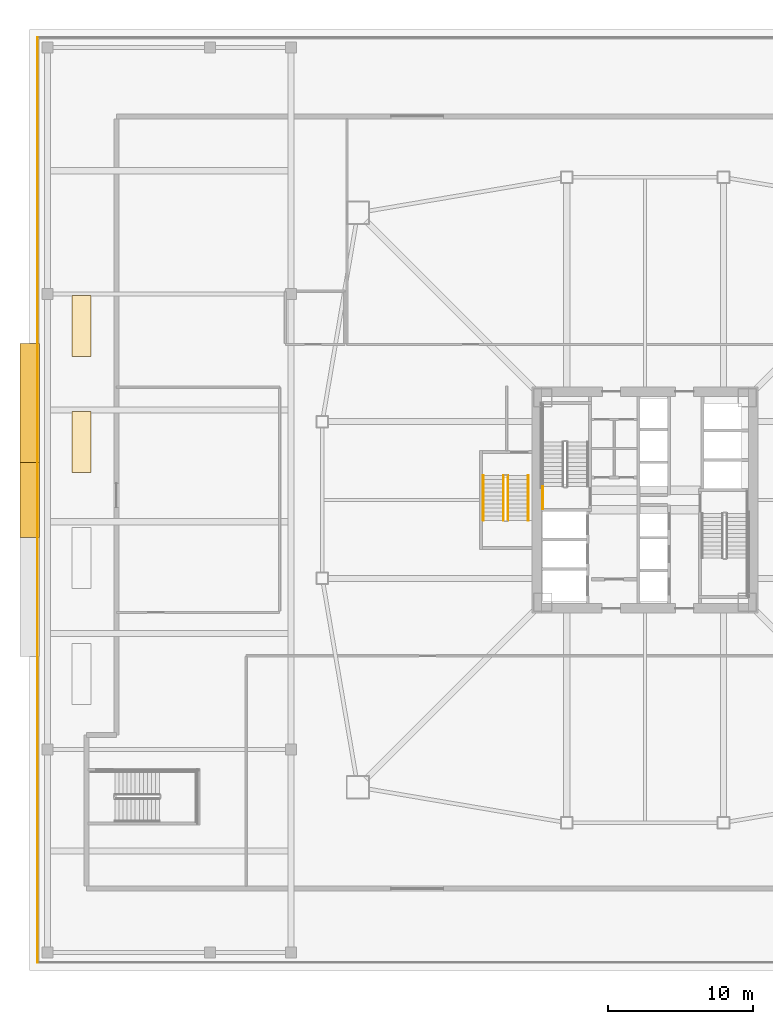
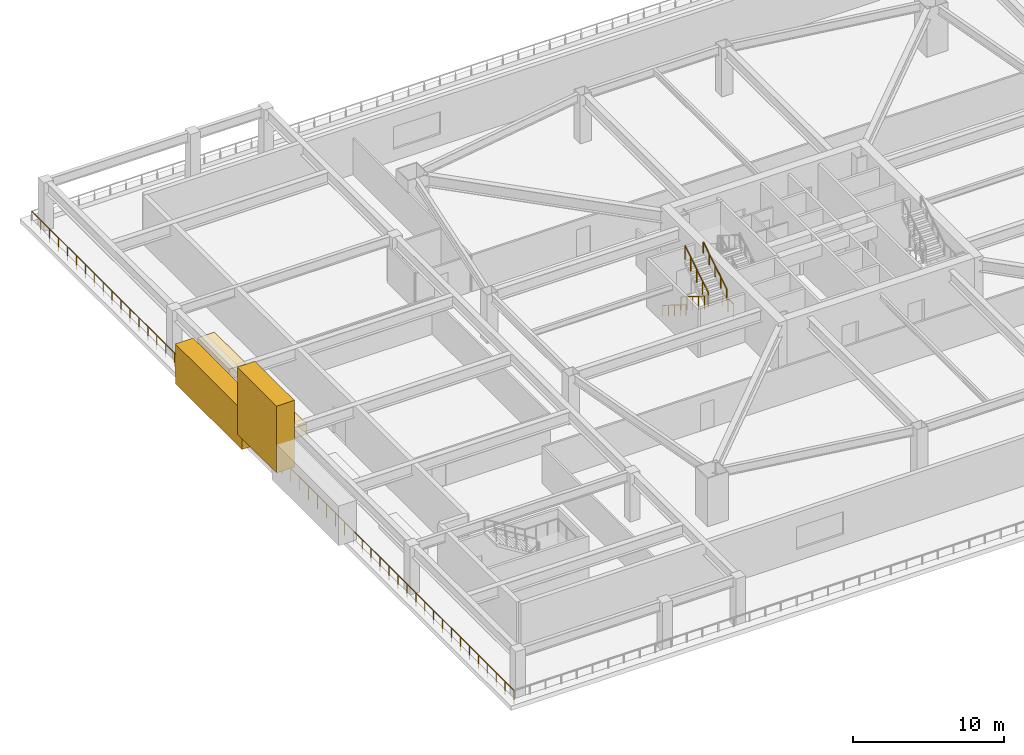
# One storey, part 14 of 20: 6 railings, 4 coverings.
"""IFC4 building model written with IfcOpenShell, lengths in metres."""

import ifcopenshell
import ifcopenshell.guid

model = None  # the IFC model being written
_history = None  # IfcOwnerHistory: only IFC2X3 demands one
_inside = {}  # id of a spatial element -> (the spatial element, [elements in it])
_under = {}  # id of a project, library or spatial element -> (it, [spatial elements below it])
_declared = {}  # id of a project -> (the project, [libraries it declares])
_typed = {}  # id of a type object -> (the type object, [elements of that type])
_made_of = {}  # id of a material, layer set ... -> (it, [elements and type objects made of it])


def new_model(schema):
    """Start an empty IFC model of exactly this schema.

    Asked for "IFC4X3", IfcOpenShell would pick the latest addendum, in which some entities
    have other attributes; the version numbers below select the first issue.
    IFC2X3 requires an IfcOwnerHistory on every rooted entity: one is made here for all.
    """
    global model, _history
    if schema == "IFC4X3":
        model = ifcopenshell.file(schema_version=(4, 3, 0, 0))
    else:
        model = ifcopenshell.file(schema=schema)
    _inside.clear()
    _under.clear()
    _declared.clear()
    _typed.clear()
    _made_of.clear()
    _history = None
    if model.schema == "IFC2X3":
        org = make("IfcOrganization", Name="unknown")
        user = make(
            "IfcPersonAndOrganization",
            ThePerson=make("IfcPerson", FamilyName="unknown"),
            TheOrganization=org,
        )
        app = make(
            "IfcApplication",
            ApplicationDeveloper=org,
            Version="unknown",
            ApplicationFullName="unknown",
            ApplicationIdentifier="unknown",
        )
        _history = make(
            "IfcOwnerHistory",
            OwningUser=user,
            OwningApplication=app,
            ChangeAction="ADDED",
            CreationDate=0,
        )
    return model


def make(cls, **values):
    """One entity of the class cls with the attributes given. An attribute that is None is left unset."""
    return model.create_entity(
        cls, **{name: value for name, value in values.items() if value is not None}
    )


def rooted(cls, **values):
    """An entity with a GlobalId (a new one), such as an element, a storey or a relation."""
    return make(cls, GlobalId=ifcopenshell.guid.new(), OwnerHistory=_history, **values)


def si_unit(unit_type, name, prefix=None):
    """IfcSIUnit, for example si_unit("LENGTHUNIT", "METRE", prefix="MILLI")."""
    return make("IfcSIUnit", UnitType=unit_type, Prefix=prefix, Name=name)


def assignment(units):
    """IfcUnitAssignment: the units of a project."""
    return None if units is None else make("IfcUnitAssignment", Units=units)


def point(xyz):
    """IfcCartesianPoint."""
    return None if xyz is None else make("IfcCartesianPoint", Coordinates=xyz)


def direction(xyz):
    """IfcDirection."""
    return None if xyz is None else make("IfcDirection", DirectionRatios=xyz)


def frame(location, z_axis=None, x_axis=None):
    """IfcAxis2Placement3D, a coordinate frame: its origin and axes. An axis left out is left unset."""
    return make(
        "IfcAxis2Placement3D",
        Location=point(location),
        Axis=direction(z_axis),
        RefDirection=direction(x_axis),
    )


def frame_2d(location, x_axis=None):
    """IfcAxis2Placement2D, a coordinate frame in the plane: its origin and x axis."""
    return make(
        "IfcAxis2Placement2D", Location=point(location), RefDirection=direction(x_axis)
    )


def origin():
    """The frame at (0, 0, 0) with its axes left unset."""
    return frame((0.0, 0.0, 0.0))


def origin_2d():
    """The frame at (0, 0) in the plane with its x axis left unset."""
    return frame_2d((0.0, 0.0))


def place(relative_to, where):
    """IfcLocalPlacement: puts the frame where relative to a parent placement (None: the world)."""
    return make(
        "IfcLocalPlacement", PlacementRelTo=relative_to, RelativePlacement=where
    )


def context(
    kind, dimensions, precision=None, world=None, true_north=None, identifier=None
):
    """IfcGeometricRepresentationContext, for example the 3D "Model" context."""
    return make(
        "IfcGeometricRepresentationContext",
        ContextIdentifier=identifier,
        ContextType=kind,
        CoordinateSpaceDimension=dimensions,
        Precision=precision,
        WorldCoordinateSystem=world,
        TrueNorth=true_north,
    )


def subcontext(parent, identifier, kind, view, scale=None):
    """IfcGeometricRepresentationSubContext, for example "Body" below "Model"."""
    return make(
        "IfcGeometricRepresentationSubContext",
        ContextIdentifier=identifier,
        ContextType=kind,
        ParentContext=parent,
        TargetScale=scale,
        TargetView=view,
    )


def project(units=None, contexts=None):
    """IfcProject with its units and contexts."""
    return rooted(
        "IfcProject",
        Name="project",
        RepresentationContexts=contexts,
        UnitsInContext=assignment(units),
    )


def spatial(cls, under=None, at=None, **own):
    """A site, building, storey or space (cls), placed at a placement, below another one or the project."""
    s = rooted(cls, ObjectPlacement=at, **own)
    if under is not None:
        _under.setdefault(under.id(), (under, []))[1].append(s)
    return s


def profile(cls, at=None, kind="AREA", **sizes):
    """A parametric profile (cls). Its sizes go by their IFC names, for example OverallWidth=200.0."""
    return make(cls, ProfileType=kind, Position=at, **sizes)


def rectangle(**sizes):
    """IfcRectangleProfileDef."""
    return profile("IfcRectangleProfileDef", **sizes)


def extrude(swept, where, along, depth):
    """IfcExtrudedAreaSolid: the profile swept, set in the frame where, extruded along a direction by depth."""
    return make(
        "IfcExtrudedAreaSolid",
        SweptArea=swept,
        Position=where,
        ExtrudedDirection=direction(along),
        Depth=depth,
    )


def shape(context_of_items, identifier, shape_type, items):
    """IfcShapeRepresentation: the items that make up one representation, for example the "Body"."""
    return make(
        "IfcShapeRepresentation",
        ContextOfItems=context_of_items,
        RepresentationIdentifier=identifier,
        RepresentationType=shape_type,
        Items=items,
    )


def material(Name=None, Category=None):
    """IfcMaterial."""
    return make("IfcMaterial", Name=Name, Category=Category)


def layer(
    of_material, thickness, ventilated=None, Name=None, Category=None, Priority=None
):
    """IfcMaterialLayer: one layer of a wall or slab, of a material (None: an air gap)."""
    return make(
        "IfcMaterialLayer",
        Material=of_material,
        LayerThickness=thickness,
        IsVentilated=ventilated,
        Name=Name,
        Category=Category,
        Priority=Priority,
    )


def layer_set(layers, Name=None):
    """IfcMaterialLayerSet."""
    return make("IfcMaterialLayerSet", MaterialLayers=layers, LayerSetName=Name)


def made_of(thing, what):
    """Note that an element or type object is made of a material, layer set ...; save() writes the relation."""
    if what is not None:
        _made_of.setdefault(what.id(), (what, []))[1].append(thing)
    return thing


def type_object(cls, material=None, **own):
    """A type object (cls), such as IfcWallType, which elements share."""
    return made_of(rooted(cls, **own), material)


def element(
    cls,
    number,
    at=None,
    inside=None,
    cuts=None,
    type_object=None,
    material=None,
    context=None,
    identifier="Body",
    shape_type=None,
    held_by="IfcProductDefinitionShape",
    body=None,
    shapes=None,
    **own,
):
    """One element of the class cls, such as IfcWall. Its Tag is "e" and its number.

    at: its placement. inside: the storey or other place that contains it. cuts: it is an
    opening in that element (IfcRelVoidsElement). A single representation is given by context,
    identifier, shape_type and body (its items); several are given by shapes. held_by: the class
    of the entity that holds the representations. save() writes the other relations.
    """
    e = rooted(cls, Tag="e%d" % number, ObjectPlacement=at, **own)
    if body is not None:
        shapes = [shape(context, identifier, shape_type, body)]
    if shapes is not None:
        e.Representation = make(held_by, Representations=shapes)
    if inside is not None:
        _inside.setdefault(inside.id(), (inside, []))[1].append(e)
    if cuts is not None:
        rooted(
            "IfcRelVoidsElement", RelatingBuildingElement=cuts, RelatedOpeningElement=e
        )
    if type_object is not None:
        _typed.setdefault(type_object.id(), (type_object, []))[1].append(e)
    return made_of(e, material)


def aggregate(whole, parts):
    """IfcRelAggregates: a whole, such as a stair, and the parts it consists of."""
    return rooted("IfcRelAggregates", RelatingObject=whole, RelatedObjects=parts)


def save(model, path):
    """Write the relations noted so far, then the file.

    IfcRelAggregates (storeys below a building ...), IfcRelContainedInSpatialStructure (elements
    in a storey), IfcRelDefinesByType, IfcRelAssociatesMaterial and IfcRelDeclares: one each for
    every whole, place, type object, material and project.
    """
    for whole, parts in _under.values():
        aggregate(whole, parts)
    for where, things in _inside.values():
        rooted(
            "IfcRelContainedInSpatialStructure",
            RelatedElements=things,
            RelatingStructure=where,
        )
    for kind, things in _typed.values():
        rooted("IfcRelDefinesByType", RelatedObjects=things, RelatingType=kind)
    for what, things in _made_of.values():
        rooted("IfcRelAssociatesMaterial", RelatedObjects=things, RelatingMaterial=what)
    for by, libraries in _declared.values():
        rooted("IfcRelDeclares", RelatingContext=by, RelatedDefinitions=libraries)
    model.write(path)


model = new_model("IFC4")

# Units and contexts
model_context = context("Model", 3, precision=1e-05, world=origin(), true_north=direction((0.0, 1.0)))
body_context = subcontext(model_context, "Body", "Model", "MODEL_VIEW")
ifc_project = project(units=[si_unit("LENGTHUNIT", "METRE"), si_unit("AREAUNIT", "SQUARE_METRE"), si_unit("VOLUMEUNIT", "CUBIC_METRE"), si_unit("PLANEANGLEUNIT", "RADIAN"), si_unit("MASSUNIT", "GRAM", prefix="KILO")], contexts=[model_context])

# Site, building, storey
site_placement = place(None, origin())
site = spatial("IfcSite", under=ifc_project, at=site_placement, CompositionType="ELEMENT")
building_placement = place(site_placement, origin())
building = spatial("IfcBuilding", under=site, at=building_placement, Name="Tashvorn Skyway Center", CompositionType="ELEMENT")
storey_placement = place(building_placement, frame((0.0, 0.0, 15.60009765625)))
storey = spatial("IfcBuildingStorey", under=building, at=storey_placement, Name="L03", CompositionType="ELEMENT", Elevation=15.60009765625)

# Coverings
ifc_material_1 = material(Name="Precast concrete C40/50", Category="concrete")
ifc_layer = layer(ifc_material_1, 0.35009765625)
ifc_layer_set = layer_set([ifc_layer], Name="Precast concrete C40/50")
covering_type = type_object("IfcCoveringType", Name="COV-STONE-TRIM", PredefinedType="CLADDING", material=ifc_layer_set)
for number, where, z_axis, x_axis, name in (
    (1, (3.14990234375, 36.0, 0.0), (0.0, 0.0, 1.0), (1.0, 0.0, 0.0), "L03 Colonnade Terrace Stone Planter 3"),
    (2, (3.14990234375, 44.0, 0.0), (0.0, 0.0, 1.0), (1.0, 0.0, 0.0), "L03 Colonnade Terrace Stone Planter 4"),
):
    element("IfcCovering", number, at=place(storey_placement, frame(where, z_axis=z_axis, x_axis=x_axis)), inside=storey, type_object=covering_type, Name=name, PredefinedType="CLADDING", context=body_context, shape_type="SweptSolid", body=[
        extrude(rectangle(XDim=1.300048828125, YDim=4.199951171875, at=origin_2d()), origin(), (0.0, 0.0, 1.0), 0.840087890625),
    ])
covering_1_placement = place(storey_placement, frame((-0.419921875, 38.39990234375, 0.39990234375), z_axis=(0.0, 0.0, 1.0), x_axis=(1.0, 0.0, 0.0)))
element("IfcCovering", 3, at=covering_1_placement, inside=storey, type_object=covering_type, Name="Postmodern Station Split-Pediment WEST R", PredefinedType="CLADDING", context=body_context, shape_type="SweptSolid", body=[
    extrude(rectangle(XDim=1.35009765625, YDim=8.800048828125, at=origin_2d()), origin(), (0.0, 0.0, 1.0), 3.199951171875),
])
covering_2_placement = place(storey_placement, frame((-0.419921875, 32.0, 1.300048828125), z_axis=(0.0, 0.0, 1.0), x_axis=(1.0, 0.0, 0.0)))
element("IfcCovering", 4, at=covering_2_placement, inside=storey, type_object=covering_type, Name="Postmodern Station Split-Pediment WEST KEY", PredefinedType="CLADDING", context=body_context, shape_type="SweptSolid", body=[
    extrude(rectangle(XDim=1.35009765625, YDim=5.199951171875, at=origin_2d()), origin(), (0.0, 0.0, 1.0), 5.39990234375),
])

# Railings
ifc_material_2 = material(Name="Galvanized steel S355", Category="steel")
railing_type_1 = type_object("IfcRailingType", Name="RAIL-GUARD-1120", PredefinedType="GUARDRAIL", material=ifc_material_2)
railing_1_placement = place(storey_placement, frame((0.1201171875, 63.8798828125, 0.0)))
element("IfcRailing", 5, at=railing_1_placement, inside=storey, type_object=railing_type_1, Name="L03 Stepped Podium Colonnade Terrace Guardrail 04", PredefinedType="GUARDRAIL", context=body_context, shape_type="SweptSolid", body=[
    extrude(rectangle(XDim=0.048095703125, YDim=0.048095703125, at=origin_2d()), frame((0.0, 0.0, 1.09619140625), z_axis=(0.0, -1.0, 0.0), x_axis=(1.0, 0.0, 0.0)), (0.0, 0.0, 1.0), 63.759765625),
    extrude(rectangle(XDim=0.0419921875, YDim=0.0419921875, at=origin_2d()), origin(), (0.0, 0.0, 1.0), 1.072021484375),
    extrude(rectangle(XDim=0.0419921875, YDim=0.0419921875, at=origin_2d()), frame((0.0, -1.1806640625, 0.0)), (0.0, 0.0, 1.0), 1.072021484375),
    extrude(rectangle(XDim=0.0419921875, YDim=0.0419921875, at=origin_2d()), frame((0.0, -2.361572265625, 0.0)), (0.0, 0.0, 1.0), 1.072021484375),
    extrude(rectangle(XDim=0.0419921875, YDim=0.0419921875, at=origin_2d()), frame((0.0, -3.542236328125, 0.0)), (0.0, 0.0, 1.0), 1.072021484375),
    extrude(rectangle(XDim=0.0419921875, YDim=0.0419921875, at=origin_2d()), frame((0.0, -4.722900390625, 0.0)), (0.0, 0.0, 1.0), 1.072021484375),
    extrude(rectangle(XDim=0.0419921875, YDim=0.0419921875, at=origin_2d()), frame((0.0, -5.903564453125, 0.0)), (0.0, 0.0, 1.0), 1.072021484375),
    extrude(rectangle(XDim=0.0419921875, YDim=0.0419921875, at=origin_2d()), frame((0.0, -7.08447265625, 0.0)), (0.0, 0.0, 1.0), 1.072021484375),
    extrude(rectangle(XDim=0.0419921875, YDim=0.0419921875, at=origin_2d()), frame((0.0, -8.26513671875, 0.0)), (0.0, 0.0, 1.0), 1.072021484375),
    extrude(rectangle(XDim=0.0419921875, YDim=0.0419921875, at=origin_2d()), frame((0.0, -9.44580078125, 0.0)), (0.0, 0.0, 1.0), 1.072021484375),
    extrude(rectangle(XDim=0.0419921875, YDim=0.0419921875, at=origin_2d()), frame((0.0, -10.626708984375, 0.0)), (0.0, 0.0, 1.0), 1.072021484375),
    extrude(rectangle(XDim=0.0419921875, YDim=0.0419921875, at=origin_2d()), frame((0.0, -11.807373046875, 0.0)), (0.0, 0.0, 1.0), 1.072021484375),
    extrude(rectangle(XDim=0.0419921875, YDim=0.0419921875, at=origin_2d()), frame((0.0, -12.988037109375, 0.0)), (0.0, 0.0, 1.0), 1.072021484375),
    extrude(rectangle(XDim=0.0419921875, YDim=0.0419921875, at=origin_2d()), frame((0.0, -14.1689453125, 0.0)), (0.0, 0.0, 1.0), 1.072021484375),
    extrude(rectangle(XDim=0.0419921875, YDim=0.0419921875, at=origin_2d()), frame((0.0, -15.349609375, 0.0)), (0.0, 0.0, 1.0), 1.072021484375),
    extrude(rectangle(XDim=0.0419921875, YDim=0.0419921875, at=origin_2d()), frame((0.0, -16.5302734375, 0.0)), (0.0, 0.0, 1.0), 1.072021484375),
    extrude(rectangle(XDim=0.0419921875, YDim=0.0419921875, at=origin_2d()), frame((0.0, -17.7109375, 0.0)), (0.0, 0.0, 1.0), 1.072021484375),
    extrude(rectangle(XDim=0.0419921875, YDim=0.0419921875, at=origin_2d()), frame((0.0, -18.891845703125, 0.0)), (0.0, 0.0, 1.0), 1.072021484375),
    extrude(rectangle(XDim=0.0419921875, YDim=0.0419921875, at=origin_2d()), frame((0.0, -20.072509765625, 0.0)), (0.0, 0.0, 1.0), 1.072021484375),
    extrude(rectangle(XDim=0.0419921875, YDim=0.0419921875, at=origin_2d()), frame((0.0, -21.253173828125, 0.0)), (0.0, 0.0, 1.0), 1.072021484375),
    extrude(rectangle(XDim=0.0419921875, YDim=0.0419921875, at=origin_2d()), frame((0.0, -22.43408203125, 0.0)), (0.0, 0.0, 1.0), 1.072021484375),
    extrude(rectangle(XDim=0.0419921875, YDim=0.0419921875, at=origin_2d()), frame((0.0, -23.61474609375, 0.0)), (0.0, 0.0, 1.0), 1.072021484375),
    extrude(rectangle(XDim=0.0419921875, YDim=0.0419921875, at=origin_2d()), frame((0.0, -24.79541015625, 0.0)), (0.0, 0.0, 1.0), 1.072021484375),
    extrude(rectangle(XDim=0.0419921875, YDim=0.0419921875, at=origin_2d()), frame((0.0, -25.976318359375, 0.0)), (0.0, 0.0, 1.0), 1.072021484375),
    extrude(rectangle(XDim=0.0419921875, YDim=0.0419921875, at=origin_2d()), frame((0.0, -27.156982421875, 0.0)), (0.0, 0.0, 1.0), 1.072021484375),
    extrude(rectangle(XDim=0.0419921875, YDim=0.0419921875, at=origin_2d()), frame((0.0, -28.337646484375, 0.0)), (0.0, 0.0, 1.0), 1.072021484375),
    extrude(rectangle(XDim=0.0419921875, YDim=0.0419921875, at=origin_2d()), frame((0.0, -29.518310546875, 0.0)), (0.0, 0.0, 1.0), 1.072021484375),
    extrude(rectangle(XDim=0.0419921875, YDim=0.0419921875, at=origin_2d()), frame((0.0, -30.69921875, 0.0)), (0.0, 0.0, 1.0), 1.072021484375),
    extrude(rectangle(XDim=0.0419921875, YDim=0.0419921875, at=origin_2d()), frame((0.0, -31.8798828125, 0.0)), (0.0, 0.0, 1.0), 1.072021484375),
    extrude(rectangle(XDim=0.0419921875, YDim=0.0419921875, at=origin_2d()), frame((0.0, -33.060546875, 0.0)), (0.0, 0.0, 1.0), 1.072021484375),
    extrude(rectangle(XDim=0.0419921875, YDim=0.0419921875, at=origin_2d()), frame((0.0, -34.241455078125, 0.0)), (0.0, 0.0, 1.0), 1.072021484375),
    extrude(rectangle(XDim=0.0419921875, YDim=0.0419921875, at=origin_2d()), frame((0.0, -35.422119140625, 0.0)), (0.0, 0.0, 1.0), 1.072021484375),
    extrude(rectangle(XDim=0.0419921875, YDim=0.0419921875, at=origin_2d()), frame((0.0, -36.602783203125, 0.0)), (0.0, 0.0, 1.0), 1.072021484375),
    extrude(rectangle(XDim=0.0419921875, YDim=0.0419921875, at=origin_2d()), frame((0.0, -37.783447265625, 0.0)), (0.0, 0.0, 1.0), 1.072021484375),
    extrude(rectangle(XDim=0.0419921875, YDim=0.0419921875, at=origin_2d()), frame((0.0, -38.96435546875, 0.0)), (0.0, 0.0, 1.0), 1.072021484375),
    extrude(rectangle(XDim=0.0419921875, YDim=0.0419921875, at=origin_2d()), frame((0.0, -40.14501953125, 0.0)), (0.0, 0.0, 1.0), 1.072021484375),
    extrude(rectangle(XDim=0.0419921875, YDim=0.0419921875, at=origin_2d()), frame((0.0, -41.32568359375, 0.0)), (0.0, 0.0, 1.0), 1.072021484375),
    extrude(rectangle(XDim=0.0419921875, YDim=0.0419921875, at=origin_2d()), frame((0.0, -42.506591796875, 0.0)), (0.0, 0.0, 1.0), 1.072021484375),
    extrude(rectangle(XDim=0.0419921875, YDim=0.0419921875, at=origin_2d()), frame((0.0, -43.687255859375, 0.0)), (0.0, 0.0, 1.0), 1.072021484375),
    extrude(rectangle(XDim=0.0419921875, YDim=0.0419921875, at=origin_2d()), frame((0.0, -44.867919921875, 0.0)), (0.0, 0.0, 1.0), 1.072021484375),
    extrude(rectangle(XDim=0.0419921875, YDim=0.0419921875, at=origin_2d()), frame((0.0, -46.048828125, 0.0)), (0.0, 0.0, 1.0), 1.072021484375),
    extrude(rectangle(XDim=0.0419921875, YDim=0.0419921875, at=origin_2d()), frame((0.0, -47.2294921875, 0.0)), (0.0, 0.0, 1.0), 1.072021484375),
    extrude(rectangle(XDim=0.0419921875, YDim=0.0419921875, at=origin_2d()), frame((0.0, -48.41015625, 0.0)), (0.0, 0.0, 1.0), 1.072021484375),
    extrude(rectangle(XDim=0.0419921875, YDim=0.0419921875, at=origin_2d()), frame((0.0, -49.5908203125, 0.0)), (0.0, 0.0, 1.0), 1.072021484375),
    extrude(rectangle(XDim=0.0419921875, YDim=0.0419921875, at=origin_2d()), frame((0.0, -50.771728515625, 0.0)), (0.0, 0.0, 1.0), 1.072021484375),
    extrude(rectangle(XDim=0.0419921875, YDim=0.0419921875, at=origin_2d()), frame((0.0, -51.952392578125, 0.0)), (0.0, 0.0, 1.0), 1.072021484375),
    extrude(rectangle(XDim=0.0419921875, YDim=0.0419921875, at=origin_2d()), frame((0.0, -53.133056640625, 0.0)), (0.0, 0.0, 1.0), 1.072021484375),
    extrude(rectangle(XDim=0.0419921875, YDim=0.0419921875, at=origin_2d()), frame((0.0, -54.31396484375, 0.0)), (0.0, 0.0, 1.0), 1.072021484375),
    extrude(rectangle(XDim=0.0419921875, YDim=0.0419921875, at=origin_2d()), frame((0.0, -55.49462890625, 0.0)), (0.0, 0.0, 1.0), 1.072021484375),
    extrude(rectangle(XDim=0.0419921875, YDim=0.0419921875, at=origin_2d()), frame((0.0, -56.67529296875, 0.0)), (0.0, 0.0, 1.0), 1.072021484375),
    extrude(rectangle(XDim=0.0419921875, YDim=0.0419921875, at=origin_2d()), frame((0.0, -57.856201171875, 0.0)), (0.0, 0.0, 1.0), 1.072021484375),
    extrude(rectangle(XDim=0.0419921875, YDim=0.0419921875, at=origin_2d()), frame((0.0, -59.036865234375, 0.0)), (0.0, 0.0, 1.0), 1.072021484375),
    extrude(rectangle(XDim=0.0419921875, YDim=0.0419921875, at=origin_2d()), frame((0.0, -60.217529296875, 0.0)), (0.0, 0.0, 1.0), 1.072021484375),
    extrude(rectangle(XDim=0.0419921875, YDim=0.0419921875, at=origin_2d()), frame((0.0, -61.398193359375, 0.0)), (0.0, 0.0, 1.0), 1.072021484375),
    extrude(rectangle(XDim=0.0419921875, YDim=0.0419921875, at=origin_2d()), frame((0.0, -62.5791015625, 0.0)), (0.0, 0.0, 1.0), 1.072021484375),
    extrude(rectangle(XDim=0.0419921875, YDim=0.0419921875, at=origin_2d()), frame((0.0, -63.759765625, 0.0)), (0.0, 0.0, 1.0), 1.072021484375),
])
ifc_material_3 = material(Name="Brushed stainless steel 316", Category="steel")
railing_type_2 = type_object("IfcRailingType", Name="RAIL-HAND-920", PredefinedType="HANDRAIL", material=ifc_material_3)
railing_2_placement = place(storey_placement, frame((30.85009765625, 33.679931640625, 0.1748046875)))
element("IfcRailing", 6, at=railing_2_placement, inside=storey, type_object=railing_type_2, Name="L03 ST-T1-3 stair handrail 1", PredefinedType="HANDRAIL", context=body_context, shape_type="SweptSolid", body=[
    extrude(rectangle(XDim=0.048095703125, YDim=0.048095703125, at=origin_2d()), frame((0.0, 0.0, 0.8759765625), z_axis=(0.0, -0.847979421464, 0.530029150871), x_axis=(1.0, 0.0, 0.0)), (0.0, 0.0, 1.0), 3.632080078125),
    extrude(rectangle(XDim=0.0419921875, YDim=0.0419921875, at=origin_2d()), origin(), (0.0, 0.0, 1.0), 0.851806640625),
    extrude(rectangle(XDim=0.0419921875, YDim=0.0419921875, at=origin_2d()), frame((0.0, -0.77001953125, 0.481201171875)), (0.0, 0.0, 1.0), 0.851806640625),
    extrude(rectangle(XDim=0.0419921875, YDim=0.0419921875, at=origin_2d()), frame((0.0, -1.5400390625, 0.96240234375)), (0.0, 0.0, 1.0), 0.851806640625),
    extrude(rectangle(XDim=0.0419921875, YDim=0.0419921875, at=origin_2d()), frame((0.0, -2.309814453125, 1.44384765625)), (0.0, 0.0, 1.0), 0.851806640625),
    extrude(rectangle(XDim=0.0419921875, YDim=0.0419921875, at=origin_2d()), frame((0.0, -3.079833984375, 1.925048828125)), (0.0, 0.0, 1.0), 0.851806640625),
])
railing_3_placement = place(storey_placement, frame((33.949951171875, 30.60009765625, 2.27490234375)))
element("IfcRailing", 7, at=railing_3_placement, inside=storey, type_object=railing_type_2, Name="L03 ST-T1-3 stair handrail 2", PredefinedType="HANDRAIL", context=body_context, shape_type="SweptSolid", body=[
    extrude(rectangle(XDim=0.048095703125, YDim=0.048095703125, at=origin_2d()), frame((0.0, 0.0, 0.8759765625), z_axis=(0.0, 0.847979421464, 0.530029150871), x_axis=(-1.0, 0.0, 0.0)), (0.0, 0.0, 1.0), 3.632080078125),
    extrude(rectangle(XDim=0.0419921875, YDim=0.0419921875, at=origin_2d()), origin(), (0.0, 0.0, 1.0), 0.851806640625),
    extrude(rectangle(XDim=0.0419921875, YDim=0.0419921875, at=origin_2d()), frame((0.0, 0.77001953125, 0.481201171875)), (0.0, 0.0, 1.0), 0.851806640625),
    extrude(rectangle(XDim=0.0419921875, YDim=0.0419921875, at=origin_2d()), frame((0.0, 1.5400390625, 0.96240234375)), (0.0, 0.0, 1.0), 0.851806640625),
    extrude(rectangle(XDim=0.0419921875, YDim=0.0419921875, at=origin_2d()), frame((0.0, 2.309814453125, 1.44384765625)), (0.0, 0.0, 1.0), 0.851806640625),
    extrude(rectangle(XDim=0.0419921875, YDim=0.0419921875, at=origin_2d()), frame((0.0, 3.079833984375, 1.925048828125)), (0.0, 0.0, 1.0), 0.851806640625),
])
ifc_material_4 = material(Name="Painted galvanized steel S355", Category="steel")
railing_type_3 = type_object("IfcRailingType", Name="RAIL-STGUARD-1100", PredefinedType="GUARDRAIL", material=ifc_material_4)
railing_4_placement = place(storey_placement, frame((34.949951171875, 31.39990234375, 0.0)))
element("IfcRailing", 8, at=railing_4_placement, inside=storey, type_object=railing_type_3, Name="L03 ST-T1-1 stair guard 6", PredefinedType="GUARDRAIL", context=body_context, shape_type="SweptSolid", body=[
    extrude(rectangle(XDim=0.048095703125, YDim=0.048095703125, at=origin_2d()), frame((0.0, 0.0, 1.076171875), z_axis=(0.0, 1.0, 0.0), x_axis=(-1.0, 0.0, 0.0)), (0.0, 0.0, 1.0), 1.52001953125),
    extrude(rectangle(XDim=0.0419921875, YDim=0.0419921875, at=origin_2d()), origin(), (0.0, 0.0, 1.0), 1.052001953125),
    extrude(rectangle(XDim=0.0419921875, YDim=0.0419921875, at=origin_2d()), frame((0.0, 0.760009765625, 0.0)), (0.0, 0.0, 1.0), 1.052001953125),
    extrude(rectangle(XDim=0.0419921875, YDim=0.0419921875, at=origin_2d()), frame((0.0, 1.52001953125, 0.0)), (0.0, 0.0, 1.0), 1.052001953125),
])
railing_5_placement = place(storey_placement, frame((32.25, 33.679931640625, 0.1748046875)))
element("IfcRailing", 9, at=railing_5_placement, inside=storey, type_object=railing_type_3, Name="L03 ST-T1-3 stair guard 1", PredefinedType="GUARDRAIL", context=body_context, shape_type="SweptSolid", body=[
    extrude(rectangle(XDim=0.048095703125, YDim=0.048095703125, at=origin_2d()), frame((0.0, 0.0, 1.076171875), z_axis=(0.0, -0.847979421464, 0.530029150871), x_axis=(1.0, 0.0, 0.0)), (0.0, 0.0, 1.0), 3.632080078125),
    extrude(rectangle(XDim=0.0419921875, YDim=0.0419921875, at=origin_2d()), origin(), (0.0, 0.0, 1.0), 1.052001953125),
    extrude(rectangle(XDim=0.0419921875, YDim=0.0419921875, at=origin_2d()), frame((0.0, -0.77001953125, 0.481201171875)), (0.0, 0.0, 1.0), 1.052001953125),
    extrude(rectangle(XDim=0.0419921875, YDim=0.0419921875, at=origin_2d()), frame((0.0, -1.5400390625, 0.96240234375)), (0.0, 0.0, 1.0), 1.052001953125),
    extrude(rectangle(XDim=0.0419921875, YDim=0.0419921875, at=origin_2d()), frame((0.0, -2.309814453125, 1.44384765625)), (0.0, 0.0, 1.0), 1.052001953125),
    extrude(rectangle(XDim=0.0419921875, YDim=0.0419921875, at=origin_2d()), frame((0.0, -3.079833984375, 1.925048828125)), (0.0, 0.0, 1.0), 1.052001953125),
])
railing_6_placement = place(storey_placement, frame((32.550048828125, 30.60009765625, 2.27490234375)))
element("IfcRailing", 10, at=railing_6_placement, inside=storey, type_object=railing_type_3, Name="L03 ST-T1-3 stair guard 3", PredefinedType="GUARDRAIL", context=body_context, shape_type="SweptSolid", body=[
    extrude(rectangle(XDim=0.048095703125, YDim=0.048095703125, at=origin_2d()), frame((0.0, 0.0, 1.076171875), z_axis=(0.0, 0.847979421464, 0.530029150871), x_axis=(-1.0, 0.0, 0.0)), (0.0, 0.0, 1.0), 3.632080078125),
    extrude(rectangle(XDim=0.0419921875, YDim=0.0419921875, at=origin_2d()), origin(), (0.0, 0.0, 1.0), 1.052001953125),
    extrude(rectangle(XDim=0.0419921875, YDim=0.0419921875, at=origin_2d()), frame((0.0, 0.77001953125, 0.481201171875)), (0.0, 0.0, 1.0), 1.052001953125),
    extrude(rectangle(XDim=0.0419921875, YDim=0.0419921875, at=origin_2d()), frame((0.0, 1.5400390625, 0.96240234375)), (0.0, 0.0, 1.0), 1.052001953125),
    extrude(rectangle(XDim=0.0419921875, YDim=0.0419921875, at=origin_2d()), frame((0.0, 2.309814453125, 1.44384765625)), (0.0, 0.0, 1.0), 1.052001953125),
    extrude(rectangle(XDim=0.0419921875, YDim=0.0419921875, at=origin_2d()), frame((0.0, 3.079833984375, 1.925048828125)), (0.0, 0.0, 1.0), 1.052001953125),
])

save(model, "model.ifc")
